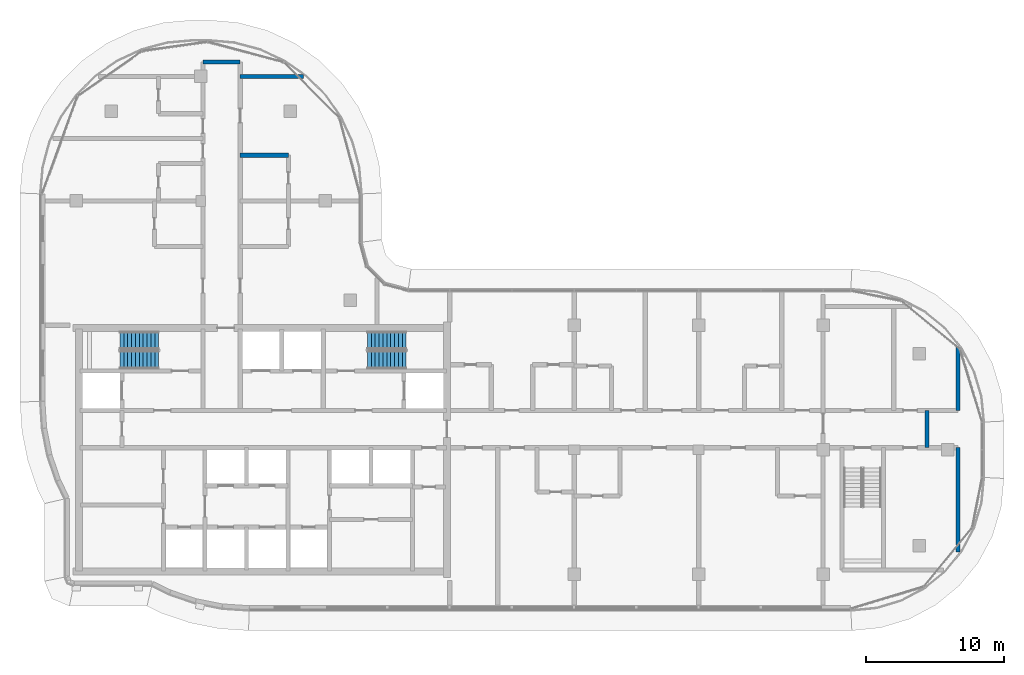
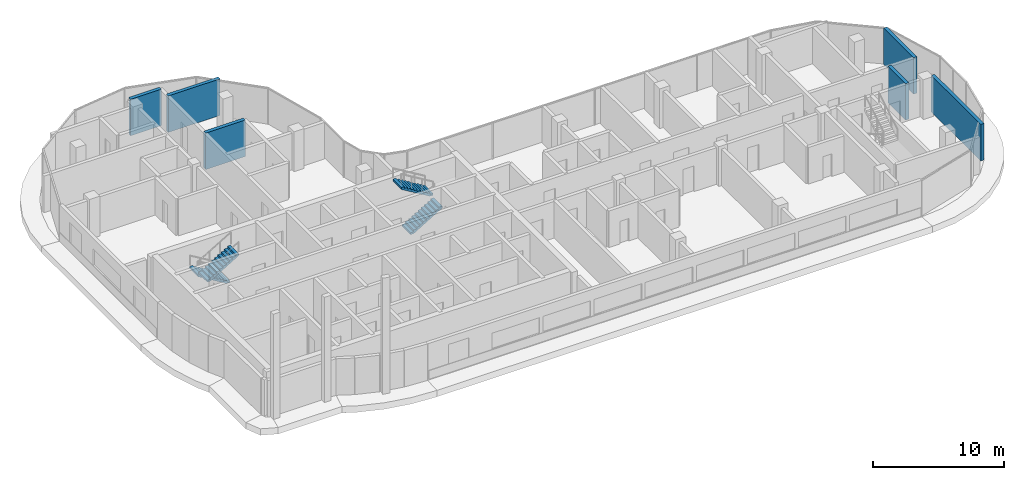
# One storey, part 13 of 20: 6 walls, 4 stair flights, 2 elements without a shape of their own.
"""IFC4 building model written with IfcOpenShell, lengths in metres."""

from ifc_helpers import new_model, si_unit, direction, frame, frame_2d, origin, place, context, subcontext, project, spatial, rectangle, extrude, triangles, source, transform, mapped, material, layer, layer_set, type_object, element, aggregate, save


model = new_model("IFC4")

# Units and contexts
model_context = context("Model", 3, precision=1e-05, world=origin(), true_north=direction((0.0, 1.0)))
body_context = subcontext(model_context, "Body", "Model", "MODEL_VIEW")
ifc_project = project(units=[si_unit("LENGTHUNIT", "METRE"), si_unit("AREAUNIT", "SQUARE_METRE"), si_unit("VOLUMEUNIT", "CUBIC_METRE"), si_unit("PLANEANGLEUNIT", "RADIAN"), si_unit("MASSUNIT", "GRAM", prefix="KILO")], contexts=[model_context])

# Site, building, storey
site_placement = place(None, origin())
site = spatial("IfcSite", under=ifc_project, at=site_placement, CompositionType="ELEMENT")
building_placement = place(site_placement, origin())
building = spatial("IfcBuilding", under=site, at=building_placement, Name="Ogive Portal Towers", CompositionType="ELEMENT")
storey_placement = place(building_placement, frame((0.0, 0.0, 232.800048828125)))
storey = spatial("IfcBuildingStorey", under=building, at=storey_placement, Name="L58", CompositionType="ELEMENT", Elevation=232.800048828125)

# Walls
ifc_material_1 = material(Name="Gypsum board partition on steel studs", Category="steel")
ifc_layer_1 = layer(ifc_material_1, 0.300048828125)
ifc_layer_set_1 = layer_set([ifc_layer_1], Name="WT-PART-300-EI 120")
wall_type_1 = type_object("IfcWallType", Name="WT-PART-300-EI 120", PredefinedType="PARTITIONING", material=ifc_layer_set_1)
wall_1_placement = place(storey_placement, frame((93.0, 30.64990234375, 0.0), z_axis=(0.0, 0.0, 1.0), x_axis=(0.0, 1.0, 0.0)))
element("IfcWall", 1, at=wall_1_placement, inside=storey, type_object=wall_type_1, Name="Wall L58:w052", PredefinedType="PARTITIONING", context=body_context, shape_type="SweptSolid", body=[
    extrude(rectangle(XDim=2.7001953125, YDim=0.300048828125, at=frame_2d((1.35009765625, 0.0))), origin(), (0.0, 0.0, 1.0), 3.39990234375),
])
ifc_layer_2 = layer(ifc_material_1, 0.300048828125)
ifc_layer_set_2 = layer_set([ifc_layer_2], Name="WT-PART-300-EI 60")
wall_type_2 = type_object("IfcWallType", Name="WT-PART-300-EI 60", PredefinedType="PARTITIONING", material=ifc_layer_set_2)
wall_2_placement = place(storey_placement, frame((43.35009765625, 51.800048828125, 0.0), z_axis=(0.0, 0.0, 1.0), x_axis=(1.0, 0.0, 0.0)))
element("IfcWall", 2, at=wall_2_placement, inside=storey, type_object=wall_type_2, Name="Wall L58:w020", PredefinedType="PARTITIONING", context=body_context, shape_type="SweptSolid", body=[
    extrude(rectangle(XDim=3.5, YDim=0.300048828125, at=frame_2d((1.75, 0.0))), origin(), (0.0, 0.0, 1.0), 3.39990234375),
])
wall_3_placement = place(storey_placement, frame((43.35009765625, 57.5, 0.0), z_axis=(0.0, 0.0, 1.0), x_axis=(1.0, 0.0, 0.0)))
element("IfcWall", 3, at=wall_3_placement, inside=storey, type_object=wall_type_2, Name="Wall L58:w024", PredefinedType="PARTITIONING", context=body_context, shape_type="SweptSolid", body=[
    extrude(rectangle(XDim=4.56201171875, YDim=0.300048828125, at=frame_2d((2.281005859375, 0.0))), origin(), (0.0, 0.0, 1.0), 3.39990234375),
])
wall_4_placement = place(storey_placement, frame((40.64990234375, 58.550048828125, 0.0), z_axis=(0.0, 0.0, 1.0), x_axis=(1.0, 0.0, 0.0)))
element("IfcWall", 4, at=wall_4_placement, inside=storey, type_object=wall_type_2, Name="Wall L58:w025", PredefinedType="PARTITIONING", context=body_context, shape_type="SweptSolid", body=[
    extrude(rectangle(XDim=2.7001953125, YDim=0.300048828125, at=frame_2d((1.35009765625, 0.0))), origin(), (0.0, 0.0, 1.0), 3.39990234375),
])
wall_5_placement = place(storey_placement, frame((95.25, 23.091064453125, 0.0), z_axis=(0.0, 0.0, 1.0), x_axis=(0.0, 1.0, 0.0)))
element("IfcWall", 5, at=wall_5_placement, inside=storey, type_object=wall_type_2, Name="Wall L58:w053", PredefinedType="PARTITIONING", context=body_context, shape_type="SweptSolid", body=[
    extrude(rectangle(XDim=7.558837890625, YDim=0.300048828125, at=frame_2d((3.779296875, 0.0))), origin(), (0.0, 0.0, 1.0), 3.39990234375),
])
wall_6_placement = place(storey_placement, frame((95.25, 33.35009765625, 0.0), z_axis=(0.0, 0.0, 1.0), x_axis=(0.0, 1.0, 0.0)))
element("IfcWall", 6, at=wall_6_placement, inside=storey, type_object=wall_type_2, Name="Wall L58:w054", PredefinedType="PARTITIONING", context=body_context, shape_type="SweptSolid", body=[
    extrude(rectangle(XDim=4.558837890625, YDim=0.300048828125, at=frame_2d((2.279296875, 0.0))), origin(), (0.0, 0.0, 1.0), 3.39990234375),
])

# Stair, stair flights
ifc_material_2 = material(Name="Concrete C40/50", Category="concrete")
stair_type = type_object("IfcStairType", Name="INT-STAIR", PredefinedType="HALF_TURN_STAIR", material=ifc_material_2)
stair_1_placement = place(storey_placement, origin())
stair_1 = element("IfcStair", 7, at=stair_1_placement, inside=storey, type_object=stair_type, Name="L58 Exit Stair ST-A1", PredefinedType="HALF_TURN_STAIR")
stair_flight_type = type_object("IfcStairFlightType", Name="INT-FLIGHT", PredefinedType="STRAIGHT", material=ifc_material_2)
shared_shape = source(origin(), body_context, "Body", "Tessellation", [
    triangles([(0.0, -0.650146484375, 0.0), (0.0, -0.376220703125, 0.0), (0.0, -0.192626953125, 0.0), (0.0, -0.081298828125, 0.0), (0.0, -0.024169921875, 0.0), (0.0, -0.003173828125, 0.0), (0.0, 0.0, 0.0), (0.0, 0.0029296875, 0.0), (0.0, 0.02392578125, 0.0), (0.0, 0.0810546875, 0.0), (0.0, 0.1923828125, 0.0), (0.0, 0.3759765625, 0.0), (0.0, 0.64990234375, 0.0), (0.0, -0.650146484375, 0.168212890625), (0.0, -0.376220703125, 0.168212890625), (0.0, -0.192626953125, 0.168212890625), (0.0, -0.081298828125, 0.168212890625), (0.0, -0.024169921875, 0.168212890625), (0.0, -0.003173828125, 0.168212890625), (0.0, 0.0, 0.168212890625), (0.0, 0.0029296875, 0.168212890625), (0.0, 0.02392578125, 0.168212890625), (0.0, 0.0810546875, 0.168212890625), (0.0, 0.1923828125, 0.168212890625), (0.0, 0.3759765625, 0.168212890625), (0.0, 0.64990234375, 0.168212890625), (0.280029296875, -0.650146484375, 0.168212890625), (0.280029296875, -0.376220703125, 0.168212890625), (0.280029296875, -0.192626953125, 0.168212890625), (0.280029296875, -0.081298828125, 0.168212890625), (0.280029296875, -0.024169921875, 0.168212890625), (0.280029296875, -0.003173828125, 0.168212890625), (0.280029296875, 0.0, 0.168212890625), (0.280029296875, 0.0029296875, 0.168212890625), (0.280029296875, 0.02392578125, 0.168212890625), (0.280029296875, 0.0810546875, 0.168212890625), (0.280029296875, 0.1923828125, 0.168212890625), (0.280029296875, 0.3759765625, 0.168212890625), (0.280029296875, 0.64990234375, 0.168212890625), (0.280029296875, -0.650146484375, 0.33642578125), (0.280029296875, -0.376220703125, 0.33642578125), (0.280029296875, -0.192626953125, 0.33642578125), (0.280029296875, -0.081298828125, 0.33642578125), (0.280029296875, -0.024169921875, 0.33642578125), (0.280029296875, -0.003173828125, 0.33642578125), (0.280029296875, 0.0, 0.33642578125), (0.280029296875, 0.0029296875, 0.33642578125), (0.280029296875, 0.02392578125, 0.33642578125), (0.280029296875, 0.0810546875, 0.33642578125), (0.280029296875, 0.1923828125, 0.33642578125), (0.280029296875, 0.3759765625, 0.33642578125), (0.280029296875, 0.64990234375, 0.33642578125), (0.56005859375, -0.650146484375, 0.33642578125), (0.56005859375, -0.376220703125, 0.33642578125), (0.56005859375, -0.192626953125, 0.33642578125), (0.56005859375, -0.081298828125, 0.33642578125), (0.56005859375, -0.024169921875, 0.33642578125), (0.56005859375, -0.003173828125, 0.33642578125), (0.56005859375, 0.0, 0.33642578125), (0.56005859375, 0.0029296875, 0.33642578125), (0.56005859375, 0.02392578125, 0.33642578125), (0.56005859375, 0.0810546875, 0.33642578125), (0.56005859375, 0.1923828125, 0.33642578125), (0.56005859375, 0.3759765625, 0.33642578125), (0.56005859375, 0.64990234375, 0.33642578125), (0.56005859375, -0.650146484375, 0.504638671875), (0.56005859375, -0.376220703125, 0.504638671875), (0.56005859375, -0.192626953125, 0.504638671875), (0.56005859375, -0.081298828125, 0.504638671875), (0.56005859375, -0.024169921875, 0.504638671875), (0.56005859375, -0.003173828125, 0.504638671875), (0.56005859375, 0.0, 0.504638671875), (0.56005859375, 0.0029296875, 0.504638671875), (0.56005859375, 0.02392578125, 0.504638671875), (0.56005859375, 0.0810546875, 0.504638671875), (0.56005859375, 0.1923828125, 0.504638671875), (0.56005859375, 0.3759765625, 0.504638671875), (0.56005859375, 0.64990234375, 0.504638671875), (0.840087890625, -0.650146484375, 0.504638671875), (0.840087890625, -0.376220703125, 0.504638671875), (0.840087890625, -0.192626953125, 0.504638671875), (0.840087890625, -0.081298828125, 0.504638671875), (0.840087890625, -0.024169921875, 0.504638671875), (0.840087890625, -0.003173828125, 0.504638671875), (0.840087890625, 0.0, 0.504638671875), (0.840087890625, 0.0029296875, 0.504638671875), (0.840087890625, 0.02392578125, 0.504638671875), (0.840087890625, 0.0810546875, 0.504638671875), (0.840087890625, 0.1923828125, 0.504638671875), (0.840087890625, 0.3759765625, 0.504638671875), (0.840087890625, 0.64990234375, 0.504638671875), (0.840087890625, -0.650146484375, 0.672607421875), (0.840087890625, -0.376220703125, 0.672607421875), (0.840087890625, -0.192626953125, 0.672607421875), (0.840087890625, -0.081298828125, 0.672607421875), (0.840087890625, -0.024169921875, 0.672607421875), (0.840087890625, -0.003173828125, 0.672607421875), (0.840087890625, 0.0, 0.672607421875), (0.840087890625, 0.0029296875, 0.672607421875), (0.840087890625, 0.02392578125, 0.672607421875), (0.840087890625, 0.0810546875, 0.672607421875), (0.840087890625, 0.1923828125, 0.672607421875), (0.840087890625, 0.3759765625, 0.672607421875), (0.840087890625, 0.64990234375, 0.672607421875), (1.1201171875, -0.650146484375, 0.672607421875), (1.1201171875, -0.376220703125, 0.672607421875), (1.1201171875, -0.192626953125, 0.672607421875), (1.1201171875, -0.081298828125, 0.672607421875), (1.1201171875, -0.024169921875, 0.672607421875), (1.1201171875, -0.003173828125, 0.672607421875), (1.1201171875, 0.0, 0.672607421875), (1.1201171875, 0.0029296875, 0.672607421875), (1.1201171875, 0.02392578125, 0.672607421875), (1.1201171875, 0.0810546875, 0.672607421875), (1.1201171875, 0.1923828125, 0.672607421875), (1.1201171875, 0.3759765625, 0.672607421875), (1.1201171875, 0.64990234375, 0.672607421875), (1.1201171875, -0.650146484375, 0.8408203125), (1.1201171875, -0.376220703125, 0.8408203125), (1.1201171875, -0.192626953125, 0.8408203125), (1.1201171875, -0.081298828125, 0.8408203125), (1.1201171875, -0.024169921875, 0.8408203125), (1.1201171875, -0.003173828125, 0.8408203125), (1.1201171875, 0.0, 0.8408203125), (1.1201171875, 0.0029296875, 0.8408203125), (1.1201171875, 0.02392578125, 0.8408203125), (1.1201171875, 0.0810546875, 0.8408203125), (1.1201171875, 0.1923828125, 0.8408203125), (1.1201171875, 0.3759765625, 0.8408203125), (1.1201171875, 0.64990234375, 0.8408203125), (1.39990234375, -0.650146484375, 0.8408203125), (1.39990234375, -0.376220703125, 0.8408203125), (1.39990234375, -0.192626953125, 0.8408203125), (1.39990234375, -0.081298828125, 0.8408203125), (1.39990234375, -0.024169921875, 0.8408203125), (1.39990234375, -0.003173828125, 0.8408203125), (1.39990234375, 0.0, 0.8408203125), (1.39990234375, 0.0029296875, 0.8408203125), (1.39990234375, 0.02392578125, 0.8408203125), (1.39990234375, 0.0810546875, 0.8408203125), (1.39990234375, 0.1923828125, 0.8408203125), (1.39990234375, 0.3759765625, 0.8408203125), (1.39990234375, 0.64990234375, 0.8408203125), (1.39990234375, -0.650146484375, 1.009033203125), (1.39990234375, -0.376220703125, 1.009033203125), (1.39990234375, -0.192626953125, 1.009033203125), (1.39990234375, -0.081298828125, 1.009033203125), (1.39990234375, -0.024169921875, 1.009033203125), (1.39990234375, -0.003173828125, 1.009033203125), (1.39990234375, 0.0, 1.009033203125), (1.39990234375, 0.0029296875, 1.009033203125), (1.39990234375, 0.02392578125, 1.009033203125), (1.39990234375, 0.0810546875, 1.009033203125), (1.39990234375, 0.1923828125, 1.009033203125), (1.39990234375, 0.3759765625, 1.009033203125), (1.39990234375, 0.64990234375, 1.009033203125), (1.679931640625, -0.650146484375, 1.009033203125), (1.679931640625, -0.376220703125, 1.009033203125), (1.679931640625, -0.192626953125, 1.009033203125), (1.679931640625, -0.081298828125, 1.009033203125), (1.679931640625, -0.024169921875, 1.009033203125), (1.679931640625, -0.003173828125, 1.009033203125), (1.679931640625, 0.0, 1.009033203125), (1.679931640625, 0.0029296875, 1.009033203125), (1.679931640625, 0.02392578125, 1.009033203125), (1.679931640625, 0.0810546875, 1.009033203125), (1.679931640625, 0.1923828125, 1.009033203125), (1.679931640625, 0.3759765625, 1.009033203125), (1.679931640625, 0.64990234375, 1.009033203125), (1.679931640625, -0.650146484375, 1.17724609375), (1.679931640625, -0.376220703125, 1.17724609375), (1.679931640625, -0.192626953125, 1.17724609375), (1.679931640625, -0.081298828125, 1.17724609375), (1.679931640625, -0.024169921875, 1.17724609375), (1.679931640625, -0.003173828125, 1.17724609375), (1.679931640625, 0.0, 1.17724609375), (1.679931640625, 0.0029296875, 1.17724609375), (1.679931640625, 0.02392578125, 1.17724609375), (1.679931640625, 0.0810546875, 1.17724609375), (1.679931640625, 0.1923828125, 1.17724609375), (1.679931640625, 0.3759765625, 1.17724609375), (1.679931640625, 0.64990234375, 1.17724609375), (1.9599609375, -0.650146484375, 1.17724609375), (1.9599609375, -0.376220703125, 1.17724609375), (1.9599609375, -0.192626953125, 1.17724609375), (1.9599609375, -0.081298828125, 1.17724609375), (1.9599609375, -0.024169921875, 1.17724609375), (1.9599609375, -0.003173828125, 1.17724609375), (1.9599609375, 0.0, 1.17724609375), (1.9599609375, 0.0029296875, 1.17724609375), (1.9599609375, 0.02392578125, 1.17724609375), (1.9599609375, 0.0810546875, 1.17724609375), (1.9599609375, 0.1923828125, 1.17724609375), (1.9599609375, 0.3759765625, 1.17724609375), (1.9599609375, 0.64990234375, 1.17724609375), (1.9599609375, -0.650146484375, 1.345458984375), (1.9599609375, -0.376220703125, 1.345458984375), (1.9599609375, -0.192626953125, 1.345458984375), (1.9599609375, -0.081298828125, 1.345458984375), (1.9599609375, -0.024169921875, 1.345458984375), (1.9599609375, -0.003173828125, 1.345458984375), (1.9599609375, 0.0, 1.345458984375), (1.9599609375, 0.0029296875, 1.345458984375), (1.9599609375, 0.02392578125, 1.345458984375), (1.9599609375, 0.0810546875, 1.345458984375), (1.9599609375, 0.1923828125, 1.345458984375), (1.9599609375, 0.3759765625, 1.345458984375), (1.9599609375, 0.64990234375, 1.345458984375), (2.239990234375, -0.650146484375, 1.345458984375), (2.239990234375, -0.376220703125, 1.345458984375), (2.239990234375, -0.192626953125, 1.345458984375), (2.239990234375, -0.081298828125, 1.345458984375), (2.239990234375, -0.024169921875, 1.345458984375), (2.239990234375, -0.003173828125, 1.345458984375), (2.239990234375, 0.0, 1.345458984375), (2.239990234375, 0.0029296875, 1.345458984375), (2.239990234375, 0.02392578125, 1.345458984375), (2.239990234375, 0.0810546875, 1.345458984375), (2.239990234375, 0.1923828125, 1.345458984375), (2.239990234375, 0.3759765625, 1.345458984375), (2.239990234375, 0.64990234375, 1.345458984375), (2.239990234375, -0.650146484375, 1.513671875), (2.239990234375, -0.376220703125, 1.513671875), (2.239990234375, -0.192626953125, 1.513671875), (2.239990234375, -0.081298828125, 1.513671875), (2.239990234375, -0.024169921875, 1.513671875), (2.239990234375, -0.003173828125, 1.513671875), (2.239990234375, 0.0, 1.513671875), (2.239990234375, 0.0029296875, 1.513671875), (2.239990234375, 0.02392578125, 1.513671875), (2.239990234375, 0.0810546875, 1.513671875), (2.239990234375, 0.1923828125, 1.513671875), (2.239990234375, 0.3759765625, 1.513671875), (2.239990234375, 0.64990234375, 1.513671875), (2.52001953125, -0.650146484375, 1.513671875), (2.52001953125, -0.376220703125, 1.513671875), (2.52001953125, -0.192626953125, 1.513671875), (2.52001953125, -0.081298828125, 1.513671875), (2.52001953125, -0.024169921875, 1.513671875), (2.52001953125, -0.003173828125, 1.513671875), (2.52001953125, 0.0, 1.513671875), (2.52001953125, 0.0029296875, 1.513671875), (2.52001953125, 0.02392578125, 1.513671875), (2.52001953125, 0.0810546875, 1.513671875), (2.52001953125, 0.1923828125, 1.513671875), (2.52001953125, 0.3759765625, 1.513671875), (2.52001953125, 0.64990234375, 1.513671875), (2.52001953125, -0.650146484375, 1.681884765625), (2.52001953125, -0.376220703125, 1.681884765625), (2.52001953125, -0.192626953125, 1.681884765625), (2.52001953125, -0.081298828125, 1.681884765625), (2.52001953125, -0.024169921875, 1.681884765625), (2.52001953125, -0.003173828125, 1.681884765625), (2.52001953125, 0.0, 1.681884765625), (2.52001953125, 0.0029296875, 1.681884765625), (2.52001953125, 0.02392578125, 1.681884765625), (2.52001953125, 0.0810546875, 1.681884765625), (2.52001953125, 0.1923828125, 1.681884765625), (2.52001953125, 0.3759765625, 1.681884765625), (2.52001953125, 0.64990234375, 1.681884765625), (2.800048828125, -0.650146484375, 1.681884765625), (2.800048828125, -0.376220703125, 1.681884765625), (2.800048828125, -0.192626953125, 1.681884765625), (2.800048828125, -0.081298828125, 1.681884765625), (2.800048828125, -0.024169921875, 1.681884765625), (2.800048828125, -0.003173828125, 1.681884765625), (2.800048828125, 0.0, 1.681884765625), (2.800048828125, 0.0029296875, 1.681884765625), (2.800048828125, 0.02392578125, 1.681884765625), (2.800048828125, 0.0810546875, 1.681884765625), (2.800048828125, 0.1923828125, 1.681884765625), (2.800048828125, 0.3759765625, 1.681884765625), (2.800048828125, 0.64990234375, 1.681884765625), (2.800048828125, -0.650146484375, 1.5068359375), (2.800048828125, -0.376220703125, 1.5068359375), (2.800048828125, -0.192626953125, 1.5068359375), (2.800048828125, -0.081298828125, 1.5068359375), (2.800048828125, -0.024169921875, 1.5068359375), (2.800048828125, -0.003173828125, 1.5068359375), (2.800048828125, 0.0, 1.5068359375), (2.800048828125, 0.0029296875, 1.5068359375), (2.800048828125, 0.02392578125, 1.5068359375), (2.800048828125, 0.0810546875, 1.5068359375), (2.800048828125, 0.1923828125, 1.5068359375), (2.800048828125, 0.3759765625, 1.5068359375), (2.800048828125, 0.64990234375, 1.5068359375), (0.291015625, -0.650146484375, 0.0), (0.291015625, -0.376220703125, 0.0), (0.291015625, -0.192626953125, 0.0), (0.291015625, -0.081298828125, 0.0), (0.291015625, -0.024169921875, 0.0), (0.291015625, -0.003173828125, 0.0), (0.291015625, 0.0, 0.0), (0.291015625, 0.0029296875, 0.0), (0.291015625, 0.02392578125, 0.0), (0.291015625, 0.0810546875, 0.0), (0.291015625, 0.1923828125, 0.0), (0.291015625, 0.3759765625, 0.0), (0.291015625, 0.64990234375, 0.0)], [[1, 14, 15], [1, 15, 2], [2, 15, 16], [2, 16, 3], [3, 16, 17], [3, 17, 4], [4, 17, 18], [4, 18, 5], [5, 18, 19], [5, 19, 6], [6, 19, 20], [6, 20, 7], [7, 20, 21], [7, 21, 8], [8, 21, 22], [8, 22, 9], [9, 22, 23], [9, 23, 10], [10, 23, 24], [10, 24, 11], [11, 24, 25], [11, 25, 12], [12, 25, 26], [12, 26, 13], [14, 27, 28], [14, 28, 15], [15, 28, 29], [15, 29, 16], [16, 29, 30], [16, 30, 17], [17, 30, 31], [17, 31, 18], [18, 31, 32], [18, 32, 19], [19, 32, 33], [19, 33, 20], [20, 33, 34], [20, 34, 21], [21, 34, 35], [21, 35, 22], [22, 35, 36], [22, 36, 23], [23, 36, 37], [23, 37, 24], [24, 37, 38], [24, 38, 25], [25, 38, 39], [25, 39, 26], [27, 40, 41], [27, 41, 28], [28, 41, 42], [28, 42, 29], [29, 42, 43], [29, 43, 30], [30, 43, 44], [30, 44, 31], [31, 44, 45], [31, 45, 32], [32, 45, 46], [32, 46, 33], [33, 46, 47], [33, 47, 34], [34, 47, 48], [34, 48, 35], [35, 48, 49], [35, 49, 36], [36, 49, 50], [36, 50, 37], [37, 50, 51], [37, 51, 38], [38, 51, 52], [38, 52, 39], [40, 53, 54], [40, 54, 41], [41, 54, 55], [41, 55, 42], [42, 55, 56], [42, 56, 43], [43, 56, 57], [43, 57, 44], [44, 57, 58], [44, 58, 45], [45, 58, 59], [45, 59, 46], [46, 59, 60], [46, 60, 47], [47, 60, 61], [47, 61, 48], [48, 61, 62], [48, 62, 49], [49, 62, 63], [49, 63, 50], [50, 63, 64], [50, 64, 51], [51, 64, 65], [51, 65, 52], [53, 66, 67], [53, 67, 54], [54, 67, 68], [54, 68, 55], [55, 68, 69], [55, 69, 56], [56, 69, 70], [56, 70, 57], [57, 70, 71], [57, 71, 58], [58, 71, 72], [58, 72, 59], [59, 72, 73], [59, 73, 60], [60, 73, 74], [60, 74, 61], [61, 74, 75], [61, 75, 62], [62, 75, 76], [62, 76, 63], [63, 76, 77], [63, 77, 64], [64, 77, 78], [64, 78, 65], [66, 79, 80], [66, 80, 67], [67, 80, 81], [67, 81, 68], [68, 81, 82], [68, 82, 69], [69, 82, 83], [69, 83, 70], [70, 83, 84], [70, 84, 71], [71, 84, 85], [71, 85, 72], [72, 85, 86], [72, 86, 73], [73, 86, 87], [73, 87, 74], [74, 87, 88], [74, 88, 75], [75, 88, 89], [75, 89, 76], [76, 89, 90], [76, 90, 77], [77, 90, 91], [77, 91, 78], [79, 92, 93], [79, 93, 80], [80, 93, 94], [80, 94, 81], [81, 94, 95], [81, 95, 82], [82, 95, 96], [82, 96, 83], [83, 96, 97], [83, 97, 84], [84, 97, 98], [84, 98, 85], [85, 98, 99], [85, 99, 86], [86, 99, 100], [86, 100, 87], [87, 100, 101], [87, 101, 88], [88, 101, 102], [88, 102, 89], [89, 102, 103], [89, 103, 90], [90, 103, 104], [90, 104, 91], [92, 105, 106], [92, 106, 93], [93, 106, 107], [93, 107, 94], [94, 107, 108], [94, 108, 95], [95, 108, 109], [95, 109, 96], [96, 109, 110], [96, 110, 97], [97, 110, 111], [97, 111, 98], [98, 111, 112], [98, 112, 99], [99, 112, 113], [99, 113, 100], [100, 113, 114], [100, 114, 101], [101, 114, 115], [101, 115, 102], [102, 115, 116], [102, 116, 103], [103, 116, 117], [103, 117, 104], [105, 118, 119], [105, 119, 106], [106, 119, 120], [106, 120, 107], [107, 120, 121], [107, 121, 108], [108, 121, 122], [108, 122, 109], [109, 122, 123], [109, 123, 110], [110, 123, 124], [110, 124, 111], [111, 124, 125], [111, 125, 112], [112, 125, 126], [112, 126, 113], [113, 126, 127], [113, 127, 114], [114, 127, 128], [114, 128, 115], [115, 128, 129], [115, 129, 116], [116, 129, 130], [116, 130, 117], [118, 131, 132], [118, 132, 119], [119, 132, 133], [119, 133, 120], [120, 133, 134], [120, 134, 121], [121, 134, 135], [121, 135, 122], [122, 135, 136], [122, 136, 123], [123, 136, 137], [123, 137, 124], [124, 137, 138], [124, 138, 125], [125, 138, 139], [125, 139, 126], [126, 139, 140], [126, 140, 127], [127, 140, 141], [127, 141, 128], [128, 141, 142], [128, 142, 129], [129, 142, 143], [129, 143, 130], [131, 144, 145], [131, 145, 132], [132, 145, 146], [132, 146, 133], [133, 146, 147], [133, 147, 134], [134, 147, 148], [134, 148, 135], [135, 148, 149], [135, 149, 136], [136, 149, 150], [136, 150, 137], [137, 150, 151], [137, 151, 138], [138, 151, 152], [138, 152, 139], [139, 152, 153], [139, 153, 140], [140, 153, 154], [140, 154, 141], [141, 154, 155], [141, 155, 142], [142, 155, 156], [142, 156, 143], [144, 157, 158], [144, 158, 145], [145, 158, 159], [145, 159, 146], [146, 159, 160], [146, 160, 147], [147, 160, 161], [147, 161, 148], [148, 161, 162], [148, 162, 149], [149, 162, 163], [149, 163, 150], [150, 163, 164], [150, 164, 151], [151, 164, 165], [151, 165, 152], [152, 165, 166], [152, 166, 153], [153, 166, 167], [153, 167, 154], [154, 167, 168], [154, 168, 155], [155, 168, 169], [155, 169, 156], [157, 170, 171], [157, 171, 158], [158, 171, 172], [158, 172, 159], [159, 172, 173], [159, 173, 160], [160, 173, 174], [160, 174, 161], [161, 174, 175], [161, 175, 162], [162, 175, 176], [162, 176, 163], [163, 176, 177], [163, 177, 164], [164, 177, 178], [164, 178, 165], [165, 178, 179], [165, 179, 166], [166, 179, 180], [166, 180, 167], [167, 180, 181], [167, 181, 168], [168, 181, 182], [168, 182, 169], [170, 183, 184], [170, 184, 171], [171, 184, 185], [171, 185, 172], [172, 185, 186], [172, 186, 173], [173, 186, 187], [173, 187, 174], [174, 187, 188], [174, 188, 175], [175, 188, 189], [175, 189, 176], [176, 189, 190], [176, 190, 177], [177, 190, 191], [177, 191, 178], [178, 191, 192], [178, 192, 179], [179, 192, 193], [179, 193, 180], [180, 193, 194], [180, 194, 181], [181, 194, 195], [181, 195, 182], [183, 196, 197], [183, 197, 184], [184, 197, 198], [184, 198, 185], [185, 198, 199], [185, 199, 186], [186, 199, 200], [186, 200, 187], [187, 200, 201], [187, 201, 188], [188, 201, 202], [188, 202, 189], [189, 202, 203], [189, 203, 190], [190, 203, 204], [190, 204, 191], [191, 204, 205], [191, 205, 192], [192, 205, 206], [192, 206, 193], [193, 206, 207], [193, 207, 194], [194, 207, 208], [194, 208, 195], [196, 209, 210], [196, 210, 197], [197, 210, 211], [197, 211, 198], [198, 211, 212], [198, 212, 199], [199, 212, 213], [199, 213, 200], [200, 213, 214], [200, 214, 201], [201, 214, 215], [201, 215, 202], [202, 215, 216], [202, 216, 203], [203, 216, 217], [203, 217, 204], [204, 217, 218], [204, 218, 205], [205, 218, 219], [205, 219, 206], [206, 219, 220], [206, 220, 207], [207, 220, 221], [207, 221, 208], [209, 222, 223], [209, 223, 210], [210, 223, 224], [210, 224, 211], [211, 224, 225], [211, 225, 212], [212, 225, 226], [212, 226, 213], [213, 226, 227], [213, 227, 214], [214, 227, 228], [214, 228, 215], [215, 228, 229], [215, 229, 216], [216, 229, 230], [216, 230, 217], [217, 230, 231], [217, 231, 218], [218, 231, 232], [218, 232, 219], [219, 232, 233], [219, 233, 220], [220, 233, 234], [220, 234, 221], [222, 235, 236], [222, 236, 223], [223, 236, 237], [223, 237, 224], [224, 237, 238], [224, 238, 225], [225, 238, 239], [225, 239, 226], [226, 239, 240], [226, 240, 227], [227, 240, 241], [227, 241, 228], [228, 241, 242], [228, 242, 229], [229, 242, 243], [229, 243, 230], [230, 243, 244], [230, 244, 231], [231, 244, 245], [231, 245, 232], [232, 245, 246], [232, 246, 233], [233, 246, 247], [233, 247, 234], [235, 248, 249], [235, 249, 236], [236, 249, 250], [236, 250, 237], [237, 250, 251], [237, 251, 238], [238, 251, 252], [238, 252, 239], [239, 252, 253], [239, 253, 240], [240, 253, 254], [240, 254, 241], [241, 254, 255], [241, 255, 242], [242, 255, 256], [242, 256, 243], [243, 256, 257], [243, 257, 244], [244, 257, 258], [244, 258, 245], [245, 258, 259], [245, 259, 246], [246, 259, 260], [246, 260, 247], [248, 261, 262], [248, 262, 249], [249, 262, 263], [249, 263, 250], [250, 263, 264], [250, 264, 251], [251, 264, 265], [251, 265, 252], [252, 265, 266], [252, 266, 253], [253, 266, 267], [253, 267, 254], [254, 267, 268], [254, 268, 255], [255, 268, 269], [255, 269, 256], [256, 269, 270], [256, 270, 257], [257, 270, 271], [257, 271, 258], [258, 271, 272], [258, 272, 259], [259, 272, 273], [259, 273, 260], [261, 274, 275], [261, 275, 262], [262, 275, 276], [262, 276, 263], [263, 276, 277], [263, 277, 264], [264, 277, 278], [264, 278, 265], [265, 278, 279], [265, 279, 266], [266, 279, 280], [266, 280, 267], [267, 280, 281], [267, 281, 268], [268, 281, 282], [268, 282, 269], [269, 282, 283], [269, 283, 270], [270, 283, 284], [270, 284, 271], [271, 284, 285], [271, 285, 272], [272, 285, 286], [272, 286, 273], [274, 287, 288], [274, 288, 275], [275, 288, 289], [275, 289, 276], [276, 289, 290], [276, 290, 277], [277, 290, 291], [277, 291, 278], [278, 291, 292], [278, 292, 279], [279, 292, 293], [279, 293, 280], [280, 293, 294], [280, 294, 281], [281, 294, 295], [281, 295, 282], [282, 295, 296], [282, 296, 283], [283, 296, 297], [283, 297, 284], [284, 297, 298], [284, 298, 285], [285, 298, 299], [285, 299, 286], [287, 1, 2], [287, 2, 288], [288, 2, 3], [288, 3, 289], [289, 3, 4], [289, 4, 290], [290, 4, 5], [290, 5, 291], [291, 5, 6], [291, 6, 292], [292, 6, 7], [292, 7, 293], [293, 7, 8], [293, 8, 294], [294, 8, 9], [294, 9, 295], [295, 9, 10], [295, 10, 296], [296, 10, 11], [296, 11, 297], [297, 11, 12], [297, 12, 298], [298, 12, 13], [298, 13, 299], [1, 287, 274], [13, 286, 299], [274, 261, 248], [286, 260, 273], [274, 248, 235], [286, 247, 260], [274, 235, 222], [286, 234, 247], [274, 222, 209], [286, 221, 234], [209, 196, 183], [221, 195, 208], [274, 209, 183], [286, 195, 221], [183, 170, 157], [195, 169, 182], [274, 183, 157], [286, 169, 195], [157, 144, 131], [169, 143, 156], [274, 157, 131], [286, 143, 169], [131, 118, 105], [143, 117, 130], [274, 131, 105], [286, 117, 143], [1, 274, 105], [13, 117, 286], [105, 92, 79], [117, 91, 104], [79, 66, 53], [91, 65, 78], [105, 79, 53], [117, 65, 91], [53, 40, 27], [65, 39, 52], [105, 53, 27], [117, 39, 65], [1, 105, 27], [13, 39, 117], [27, 14, 1], [39, 13, 26]], closed=True),
])
stair_flight_1_placement = place(storey_placement, frame((37.449951171875, 38.39990234375, 0.0), z_axis=(0.0, 0.0, 1.0), x_axis=(-1.0, 0.0, 0.0)))
stair_flight_1 = element("IfcStairFlight", 8, at=stair_flight_1_placement, type_object=stair_flight_type, Name="ST-A1 flight 1", NumberOfRisers=11, NumberOfTreads=10, PredefinedType="STRAIGHT", RiserHeight=0.168181818, TreadLength=0.28, context=body_context, shape_type="MappedRepresentation", body=[
    mapped(shared_shape, transform((0.0, 0.0, 0.0), scale=1.0)),
])
stair_flight_2_placement = place(storey_placement, frame((34.64990234375, 37.0, 1.849853515625), z_axis=(0.0, 0.0, 1.0), x_axis=(1.0, 0.0, 0.0)))
stair_flight_2 = element("IfcStairFlight", 9, at=stair_flight_2_placement, type_object=stair_flight_type, Name="ST-A1 flight 2", NumberOfRisers=11, NumberOfTreads=10, PredefinedType="STRAIGHT", RiserHeight=0.168181818, TreadLength=0.28, context=body_context, shape_type="MappedRepresentation", body=[
    mapped(shared_shape, transform((0.0, 0.0, 0.0), scale=1.0)),
])
aggregate(stair_1, [stair_flight_1, stair_flight_2])

stair_2_placement = place(storey_placement, origin())
stair_2 = element("IfcStair", 10, at=stair_2_placement, inside=storey, type_object=stair_type, Name="L58 Exit Stair ST-A2", PredefinedType="HALF_TURN_STAIR")
stair_flight_3_placement = place(storey_placement, frame((52.550048828125, 37.0, 0.0), z_axis=(0.0, 0.0, 1.0), x_axis=(1.0, 0.0, 0.0)))
stair_flight_3 = element("IfcStairFlight", 11, at=stair_flight_3_placement, type_object=stair_flight_type, Name="ST-A2 flight 1", NumberOfRisers=11, NumberOfTreads=10, PredefinedType="STRAIGHT", RiserHeight=0.168181818, TreadLength=0.28, context=body_context, shape_type="MappedRepresentation", body=[
    mapped(shared_shape, transform((0.0, 0.0, 0.0), scale=1.0)),
])
stair_flight_4_placement = place(storey_placement, frame((55.35009765625, 38.39990234375, 1.849853515625), z_axis=(0.0, 0.0, 1.0), x_axis=(-1.0, 0.0, 0.0)))
stair_flight_4 = element("IfcStairFlight", 12, at=stair_flight_4_placement, type_object=stair_flight_type, Name="ST-A2 flight 2", NumberOfRisers=11, NumberOfTreads=10, PredefinedType="STRAIGHT", RiserHeight=0.168181818, TreadLength=0.28, context=body_context, shape_type="MappedRepresentation", body=[
    mapped(shared_shape, transform((0.0, 0.0, 0.0), scale=1.0)),
])
aggregate(stair_2, [stair_flight_3, stair_flight_4])

save(model, "model.ifc")
